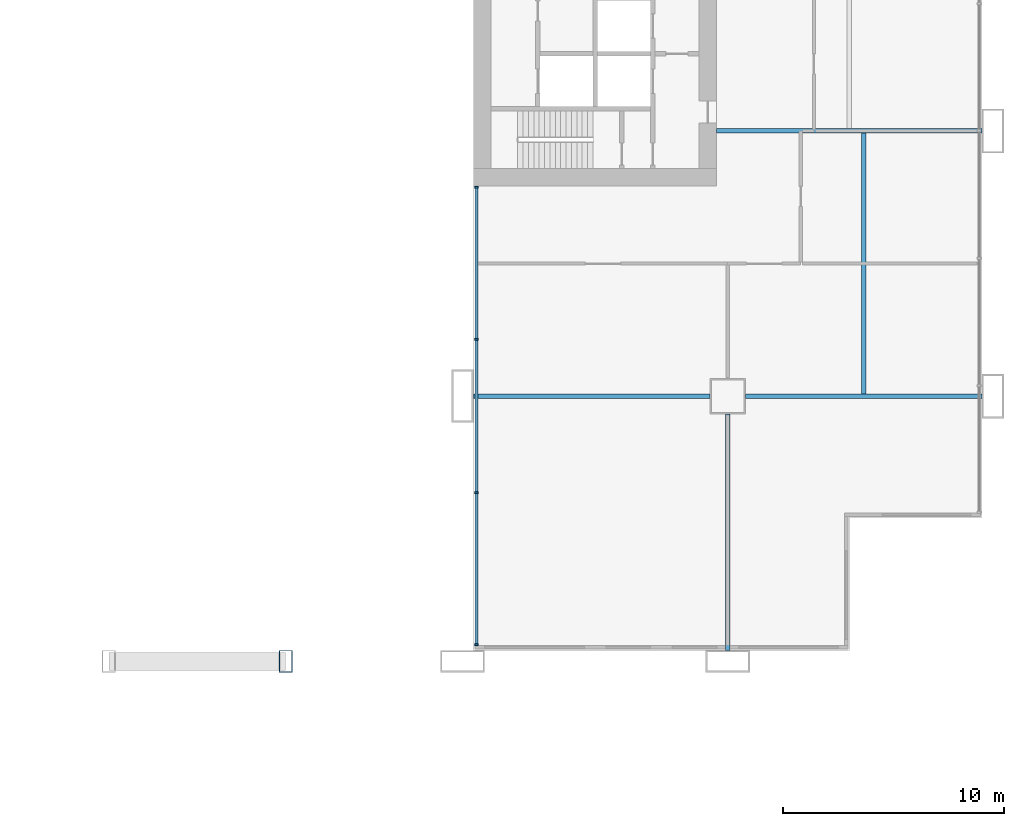
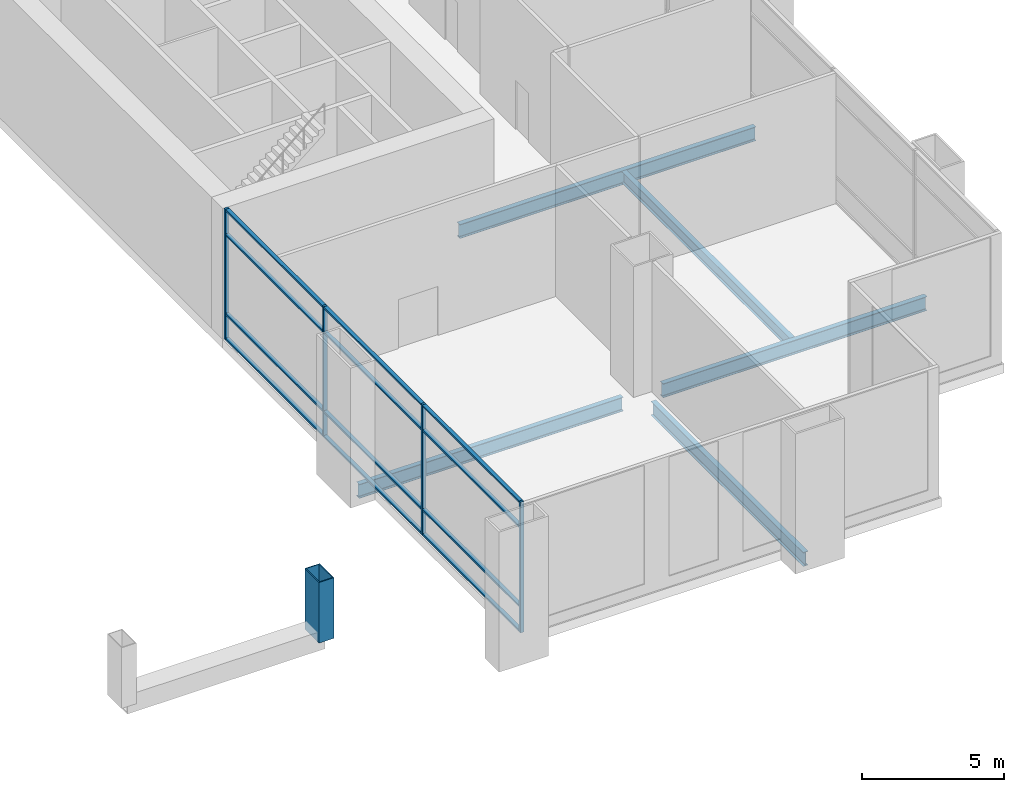
# One storey, part 10 of 25: 17 members, 5 beams, 1 element without a shape of its own.
"""IFC4 building model written with IfcOpenShell, lengths in metres."""

from ifc_helpers import new_model, si_unit, direction, frame, origin, origin_2d, place, context, subcontext, project, spatial, rectangle, hollow_rectangle, i_section, extrude, material, material_profile, profile_set, type_object, element, aggregate, save


model = new_model("IFC4")

# Units and contexts
model_context = context("Model", 3, precision=1e-05, world=origin(), true_north=direction((0.0, 1.0)))
body_context = subcontext(model_context, "Body", "Model", "MODEL_VIEW")
ifc_project = project(units=[si_unit("LENGTHUNIT", "METRE"), si_unit("AREAUNIT", "SQUARE_METRE"), si_unit("VOLUMEUNIT", "CUBIC_METRE"), si_unit("PLANEANGLEUNIT", "RADIAN"), si_unit("MASSUNIT", "GRAM", prefix="KILO")], contexts=[model_context])

# Site, building, storey
site_placement = place(None, origin())
site = spatial("IfcSite", under=ifc_project, at=site_placement, CompositionType="ELEMENT")
building_placement = place(site_placement, origin())
building = spatial("IfcBuilding", under=site, at=building_placement, Name="Kitamizu Gate Tower and Museum", CompositionType="ELEMENT")
storey_placement = place(building_placement, frame((0.0, 0.0, 18.0)))
storey = spatial("IfcBuildingStorey", under=building, at=storey_placement, Name="L03", CompositionType="ELEMENT", Elevation=18.0)

# Member
ifc_material_1 = material(Name="Steel SM490A bronze coated", Category="steel")
ifc_material_profile_1 = material_profile(ifc_material_1, hollow_rectangle(XDim=0.60009765625, YDim=1.0, WallThickness=0.034912109375, at=origin_2d()), Name="BOX 600x1000x35")
ifc_profile_set_1 = profile_set([ifc_material_profile_1], Name="Steel SM490A bronze coated")
member_type_1 = type_object("IfcMemberType", Name="Arch rib tie post AP1 BOX 600x1000x35", PredefinedType="USERDEFINED", material=ifc_profile_set_1)
member_1_placement = place(storey_placement, frame((40.0, 0.0, 3.39990234375), z_axis=(0.0, 0.0, 1.0), x_axis=(1.0, 0.0, 0.0)))
element("IfcMember", 1, at=member_1_placement, inside=storey, type_object=member_type_1, Name="Arch rib tie post SE-4", ObjectType="ARCH POST", PredefinedType="USERDEFINED", context=body_context, shape_type="SweptSolid", body=[
    extrude(hollow_rectangle(XDim=0.60009765625, YDim=1.0, WallThickness=0.034912109375, at=origin_2d()), origin(), (0.0, 0.0, 1.0), 2.60009765625),
])

# Beams
ifc_material_2 = material(Name="Steel SM490A", Category="steel")
ifc_material_profile_2 = material_profile(ifc_material_2, i_section(OverallWidth=0.199951171875, OverallDepth=0.5, WebThickness=0.010009765625, FlangeThickness=0.01611328125, FilletRadius=0.02001953125, at=origin_2d()), Name="H-500x200x10x16")
ifc_profile_set_2 = profile_set([ifc_material_profile_2], Name="Steel SM490A")
beam_type_1 = type_object("IfcBeamType", Name="Floor beam FB1 H 500x200x10x16", PredefinedType="BEAM", material=ifc_profile_set_2)
beam_1_placement = place(storey_placement, frame((66.14990234375, 12.10009765625, -0.64990234375), z_axis=(0.0, 1.0, 0.0), x_axis=(-1.0, 0.0, 0.0)))
element("IfcBeam", 2, at=beam_1_placement, inside=storey, type_object=beam_type_1, Name="Floor beam FB1 L03-2", PredefinedType="BEAM", context=body_context, shape_type="SweptSolid", body=[
    extrude(i_section(OverallWidth=0.199951171875, OverallDepth=0.5, WebThickness=0.010009765625, FlangeThickness=0.01611328125, FilletRadius=0.02001953125, at=origin_2d()), origin(), (0.0, 0.0, 1.0), 11.7998046875),
])
ifc_material_3 = material(Name="Steel SM490A", Category="steel")
ifc_material_profile_3 = material_profile(ifc_material_3, i_section(OverallWidth=0.199951171875, OverallDepth=0.60009765625, WebThickness=0.010986328125, FlangeThickness=0.01708984375, FilletRadius=0.02197265625, at=origin_2d()), Name="H-600x200x11x17")
ifc_profile_set_3 = profile_set([ifc_material_profile_3], Name="Steel SM490A")
beam_type_2 = type_object("IfcBeamType", Name="Floor girder FG1 H 600x200x11x17", PredefinedType="BEAM", material=ifc_profile_set_3)
for number, where, z_axis, x_axis, name in (
    (3, (60.0, 0.5, -0.699951171875), (0.0, 1.0, 0.0), (-1.0, 0.0, 0.0), "Floor girder FG1 x60 L03"),
    (4, (48.5, 12.0, -0.699951171875), (1.0, 0.0, 0.0), (0.0, 1.0, 0.0), "Floor girder FG1 y12 L03"),
    (5, (60.800048828125, 12.0, -0.699951171875), (1.0, 0.0, 0.0), (0.0, 1.0, 0.0), "Floor girder FG1 y12 L03"),
):
    element("IfcBeam", number, at=place(storey_placement, frame(where, z_axis=z_axis, x_axis=x_axis)), inside=storey, type_object=beam_type_2, Name=name, PredefinedType="BEAM", context=body_context, shape_type="SweptSolid", body=[
        extrude(i_section(OverallWidth=0.199951171875, OverallDepth=0.60009765625, WebThickness=0.010986328125, FlangeThickness=0.01708984375, FilletRadius=0.02197265625, at=origin_2d()), origin(), (0.0, 0.0, 1.0), 10.699951171875),
    ])
beam_2_placement = place(storey_placement, frame((59.5, 24.0, -0.699951171875), z_axis=(1.0, 0.0, 0.0), x_axis=(0.0, 1.0, 0.0)))
element("IfcBeam", 6, at=beam_2_placement, inside=storey, type_object=beam_type_2, Name="Floor girder FG1 y24 L03", PredefinedType="BEAM", context=body_context, shape_type="SweptSolid", body=[
    extrude(i_section(OverallWidth=0.199951171875, OverallDepth=0.60009765625, WebThickness=0.010986328125, FlangeThickness=0.01708984375, FilletRadius=0.02197265625, at=origin_2d()), origin(), (0.0, 0.0, 1.0), 12.0),
])

# Curtain wall, members
ifc_material_4 = material(Name="Bronze anodised aluminium frame, tinted triple glazing", Category="aluminium")
curtain_wall_type = type_object("IfcCurtainWallType", Name="CURTAIN WALL TYPE A PODIUM", PredefinedType="NOTDEFINED", material=ifc_material_4)
curtain_wall_placement = place(storey_placement, origin())
curtain_wall = element("IfcCurtainWall", 7, at=curtain_wall_placement, inside=storey, type_object=curtain_wall_type, Name="Curtain wall CW-A west L03", PredefinedType="NOTDEFINED")
ifc_material_5 = material(Name="Bronze anodised aluminium", Category="aluminium")
ifc_material_profile_4 = material_profile(ifc_material_5, rectangle(XDim=0.090087890625, YDim=0.14990234375, at=origin_2d()), Name="AL 90X150")
ifc_profile_set_4 = profile_set([ifc_material_profile_4], Name="Bronze anodised aluminium")
member_type_2 = type_object("IfcMemberType", Name="MULLION 90 X 150 TYPE A", PredefinedType="MULLION", material=ifc_profile_set_4)
member_2_placement = place(storey_placement, frame((48.635009765625, 0.7548828125, 0.0), z_axis=(0.0, 0.0, 1.0), x_axis=(0.0, 1.0, 0.0)))
member_2 = element("IfcMember", 8, at=member_2_placement, type_object=member_type_2, Name="CW-A mullion 1", PredefinedType="MULLION", context=body_context, shape_type="SweptSolid", body=[
    extrude(rectangle(XDim=0.090087890625, YDim=0.14990234375, at=origin_2d()), origin(), (0.0, 0.0, 1.0), 5.60009765625),
])
member_3_placement = place(storey_placement, frame((48.635009765625, 7.639892578125, 0.0), z_axis=(0.0, 0.0, 1.0), x_axis=(0.0, 1.0, 0.0)))
member_3 = element("IfcMember", 9, at=member_3_placement, type_object=member_type_2, Name="CW-A mullion 2", PredefinedType="MULLION", context=body_context, shape_type="SweptSolid", body=[
    extrude(rectangle(XDim=0.090087890625, YDim=0.14990234375, at=origin_2d()), origin(), (0.0, 0.0, 1.0), 5.60009765625),
])
member_4_placement = place(storey_placement, frame((48.635009765625, 14.570068359375, 0.0), z_axis=(0.0, 0.0, 1.0), x_axis=(0.0, 1.0, 0.0)))
member_4 = element("IfcMember", 10, at=member_4_placement, type_object=member_type_2, Name="CW-A mullion 3", PredefinedType="MULLION", context=body_context, shape_type="SweptSolid", body=[
    extrude(rectangle(XDim=0.090087890625, YDim=0.14990234375, at=origin_2d()), origin(), (0.0, 0.0, 1.0), 5.60009765625),
])
member_5_placement = place(storey_placement, frame((48.635009765625, 21.455078125, 0.0), z_axis=(0.0, 0.0, 1.0), x_axis=(0.0, 1.0, 0.0)))
member_5 = element("IfcMember", 11, at=member_5_placement, type_object=member_type_2, Name="CW-A mullion 4", PredefinedType="MULLION", context=body_context, shape_type="SweptSolid", body=[
    extrude(rectangle(XDim=0.090087890625, YDim=0.14990234375, at=origin_2d()), origin(), (0.0, 0.0, 1.0), 5.60009765625),
])
ifc_material_6 = material(Name="Bronze anodised aluminium", Category="aluminium")
ifc_material_profile_5 = material_profile(ifc_material_6, rectangle(XDim=0.14990234375, YDim=0.080078125, at=origin_2d()), Name="AL 80X150")
ifc_profile_set_5 = profile_set([ifc_material_profile_5], Name="Bronze anodised aluminium")
member_type_3 = type_object("IfcMemberType", Name="TRANSOM 80 X 150 TYPE A", PredefinedType="USERDEFINED", material=ifc_profile_set_5)
member_6_placement = place(storey_placement, frame((48.635009765625, 0.800048828125, 0.0400390625), z_axis=(0.0, 1.0, 0.0), x_axis=(-1.0, 0.0, 0.0)))
member_6 = element("IfcMember", 12, at=member_6_placement, type_object=member_type_3, Name="CW-A transom 1.1", ObjectType="TRANSOM", PredefinedType="USERDEFINED", context=body_context, shape_type="SweptSolid", body=[
    extrude(rectangle(XDim=0.14990234375, YDim=0.080078125, at=origin_2d()), origin(), (0.0, 0.0, 1.0), 6.794921875),
])
member_7_placement = place(storey_placement, frame((48.635009765625, 0.800048828125, 1.10009765625), z_axis=(0.0, 1.0, 0.0), x_axis=(-1.0, 0.0, 0.0)))
member_7 = element("IfcMember", 13, at=member_7_placement, type_object=member_type_3, Name="CW-A transom 1.2", ObjectType="TRANSOM", PredefinedType="USERDEFINED", context=body_context, shape_type="SweptSolid", body=[
    extrude(rectangle(XDim=0.14990234375, YDim=0.080078125, at=origin_2d()), origin(), (0.0, 0.0, 1.0), 6.794921875),
])
member_8_placement = place(storey_placement, frame((48.635009765625, 0.800048828125, 4.5), z_axis=(0.0, 1.0, 0.0), x_axis=(-1.0, 0.0, 0.0)))
member_8 = element("IfcMember", 14, at=member_8_placement, type_object=member_type_3, Name="CW-A transom 1.3", ObjectType="TRANSOM", PredefinedType="USERDEFINED", context=body_context, shape_type="SweptSolid", body=[
    extrude(rectangle(XDim=0.14990234375, YDim=0.080078125, at=origin_2d()), origin(), (0.0, 0.0, 1.0), 6.794921875),
])
member_9_placement = place(storey_placement, frame((48.635009765625, 0.800048828125, 5.56005859375), z_axis=(0.0, 1.0, 0.0), x_axis=(-1.0, 0.0, 0.0)))
member_9 = element("IfcMember", 15, at=member_9_placement, type_object=member_type_3, Name="CW-A transom 1.4", ObjectType="TRANSOM", PredefinedType="USERDEFINED", context=body_context, shape_type="SweptSolid", body=[
    extrude(rectangle(XDim=0.14990234375, YDim=0.080078125, at=origin_2d()), origin(), (0.0, 0.0, 1.0), 6.794921875),
])
member_10_placement = place(storey_placement, frame((48.635009765625, 7.68505859375, 0.0400390625), z_axis=(0.0, 1.0, 0.0), x_axis=(-1.0, 0.0, 0.0)))
member_10 = element("IfcMember", 16, at=member_10_placement, type_object=member_type_3, Name="CW-A transom 2.1", ObjectType="TRANSOM", PredefinedType="USERDEFINED", context=body_context, shape_type="SweptSolid", body=[
    extrude(rectangle(XDim=0.14990234375, YDim=0.080078125, at=origin_2d()), origin(), (0.0, 0.0, 1.0), 6.83984375),
])
member_11_placement = place(storey_placement, frame((48.635009765625, 7.68505859375, 1.10009765625), z_axis=(0.0, 1.0, 0.0), x_axis=(-1.0, 0.0, 0.0)))
member_11 = element("IfcMember", 17, at=member_11_placement, type_object=member_type_3, Name="CW-A transom 2.2", ObjectType="TRANSOM", PredefinedType="USERDEFINED", context=body_context, shape_type="SweptSolid", body=[
    extrude(rectangle(XDim=0.14990234375, YDim=0.080078125, at=origin_2d()), origin(), (0.0, 0.0, 1.0), 6.83984375),
])
member_12_placement = place(storey_placement, frame((48.635009765625, 7.68505859375, 4.5), z_axis=(0.0, 1.0, 0.0), x_axis=(-1.0, 0.0, 0.0)))
member_12 = element("IfcMember", 18, at=member_12_placement, type_object=member_type_3, Name="CW-A transom 2.3", ObjectType="TRANSOM", PredefinedType="USERDEFINED", context=body_context, shape_type="SweptSolid", body=[
    extrude(rectangle(XDim=0.14990234375, YDim=0.080078125, at=origin_2d()), origin(), (0.0, 0.0, 1.0), 6.83984375),
])
member_13_placement = place(storey_placement, frame((48.635009765625, 7.68505859375, 5.56005859375), z_axis=(0.0, 1.0, 0.0), x_axis=(-1.0, 0.0, 0.0)))
member_13 = element("IfcMember", 19, at=member_13_placement, type_object=member_type_3, Name="CW-A transom 2.4", ObjectType="TRANSOM", PredefinedType="USERDEFINED", context=body_context, shape_type="SweptSolid", body=[
    extrude(rectangle(XDim=0.14990234375, YDim=0.080078125, at=origin_2d()), origin(), (0.0, 0.0, 1.0), 6.83984375),
])
member_14_placement = place(storey_placement, frame((48.635009765625, 14.614990234375, 0.0400390625), z_axis=(0.0, 1.0, 0.0), x_axis=(-1.0, 0.0, 0.0)))
member_14 = element("IfcMember", 20, at=member_14_placement, type_object=member_type_3, Name="CW-A transom 3.1", ObjectType="TRANSOM", PredefinedType="USERDEFINED", context=body_context, shape_type="SweptSolid", body=[
    extrude(rectangle(XDim=0.14990234375, YDim=0.080078125, at=origin_2d()), origin(), (0.0, 0.0, 1.0), 6.794921875),
])
member_15_placement = place(storey_placement, frame((48.635009765625, 14.614990234375, 1.10009765625), z_axis=(0.0, 1.0, 0.0), x_axis=(-1.0, 0.0, 0.0)))
member_15 = element("IfcMember", 21, at=member_15_placement, type_object=member_type_3, Name="CW-A transom 3.2", ObjectType="TRANSOM", PredefinedType="USERDEFINED", context=body_context, shape_type="SweptSolid", body=[
    extrude(rectangle(XDim=0.14990234375, YDim=0.080078125, at=origin_2d()), origin(), (0.0, 0.0, 1.0), 6.794921875),
])
member_16_placement = place(storey_placement, frame((48.635009765625, 14.614990234375, 4.5), z_axis=(0.0, 1.0, 0.0), x_axis=(-1.0, 0.0, 0.0)))
member_16 = element("IfcMember", 22, at=member_16_placement, type_object=member_type_3, Name="CW-A transom 3.3", ObjectType="TRANSOM", PredefinedType="USERDEFINED", context=body_context, shape_type="SweptSolid", body=[
    extrude(rectangle(XDim=0.14990234375, YDim=0.080078125, at=origin_2d()), origin(), (0.0, 0.0, 1.0), 6.794921875),
])
member_17_placement = place(storey_placement, frame((48.635009765625, 14.614990234375, 5.56005859375), z_axis=(0.0, 1.0, 0.0), x_axis=(-1.0, 0.0, 0.0)))
member_17 = element("IfcMember", 23, at=member_17_placement, type_object=member_type_3, Name="CW-A transom 3.4", ObjectType="TRANSOM", PredefinedType="USERDEFINED", context=body_context, shape_type="SweptSolid", body=[
    extrude(rectangle(XDim=0.14990234375, YDim=0.080078125, at=origin_2d()), origin(), (0.0, 0.0, 1.0), 6.794921875),
])
aggregate(curtain_wall, [member_2, member_3, member_4, member_5, member_6, member_7, member_8, member_9, member_10, member_11, member_12, member_13, member_14, member_15, member_16, member_17])

save(model, "model.ifc")
